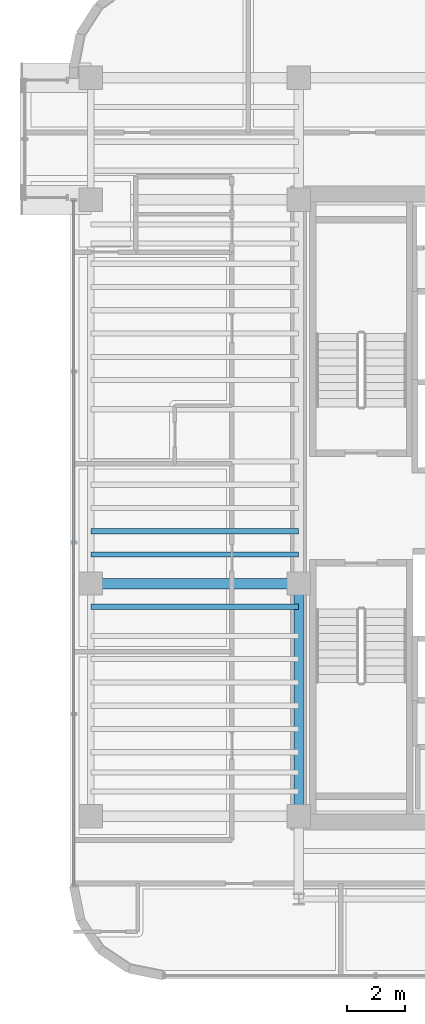
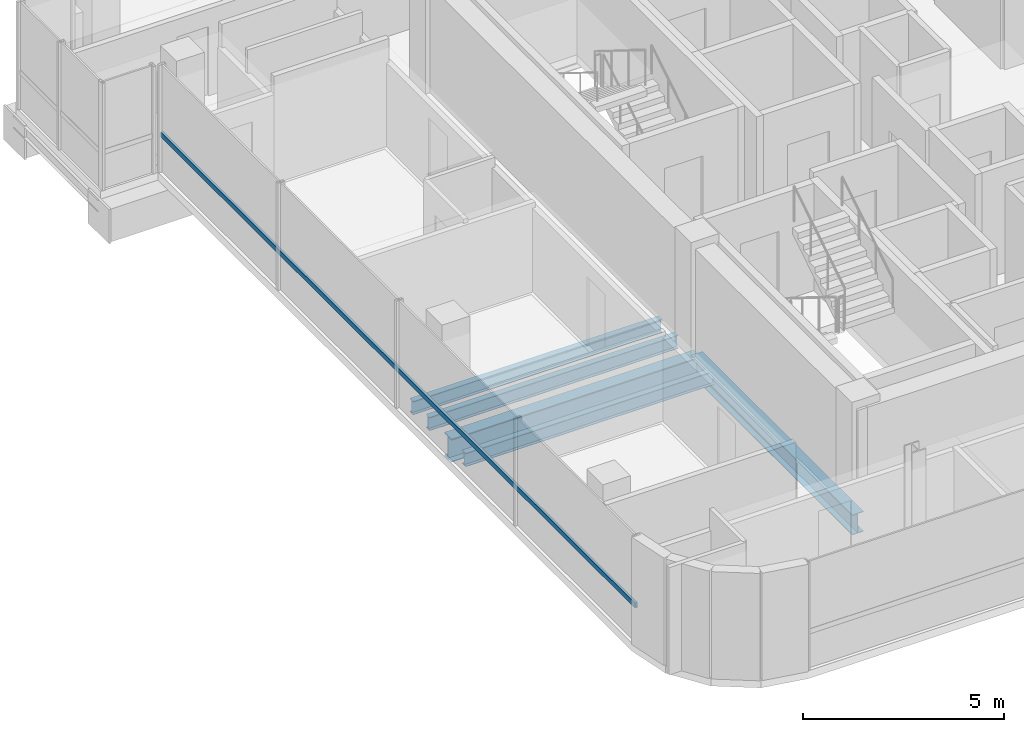
# One storey, part 5 of 21: 5 beams, 1 member, 1 element without a shape of its own.
"""IFC4 building model written with IfcOpenShell, lengths in metres."""

from ifc_helpers import new_model, si_unit, direction, frame, origin, origin_2d, place, context, subcontext, project, spatial, hollow_rectangle, i_section, extrude, source, transform, mapped, material, material_profile, profile_set, type_object, element, aggregate, save


model = new_model("IFC4")

# Units and contexts
model_context = context("Model", 3, precision=1e-05, world=origin(), true_north=direction((0.0, 1.0)))
body_context = subcontext(model_context, "Body", "Model", "MODEL_VIEW")
ifc_project = project(units=[si_unit("LENGTHUNIT", "METRE"), si_unit("AREAUNIT", "SQUARE_METRE"), si_unit("VOLUMEUNIT", "CUBIC_METRE"), si_unit("PLANEANGLEUNIT", "RADIAN"), si_unit("MASSUNIT", "GRAM", prefix="KILO")], contexts=[model_context])

# Site, building, storey
site_placement = place(None, origin())
site = spatial("IfcSite", under=ifc_project, at=site_placement, CompositionType="ELEMENT")
building_placement = place(site_placement, origin())
building = spatial("IfcBuilding", under=site, at=building_placement, Name="Valdorenza Pilgrim Sanctuary Tower", CompositionType="ELEMENT")
storey_placement = place(building_placement, frame((0.0, 0.0, 254.5)))
storey = spatial("IfcBuildingStorey", under=building, at=storey_placement, Name="L66", CompositionType="ELEMENT", Elevation=254.5)

# Beams
ifc_material_1 = material(Name="Steel ASTM A992 Grade 50", Category="steel")
ifc_material_profile_1 = material_profile(ifc_material_1, i_section(OverallWidth=0.323974609375, OverallDepth=0.611083984375, WebThickness=0.0126953125, FlangeThickness=0.01904296875, at=origin_2d()), Name="W24X104")
ifc_profile_set_1 = profile_set([ifc_material_profile_1], Name="Steel ASTM A992 Grade 50")
beam_type_1 = type_object("IfcBeamType", Name="STR-BM-GRD-W24B", PredefinedType="BEAM", material=ifc_profile_set_1)
shared_shape_1 = source(origin(), body_context, "Body", "SweptSolid", [
    extrude(i_section(OverallWidth=0.323974609375, OverallDepth=0.611083984375, WebThickness=0.0126953125, FlangeThickness=0.01904296875, at=origin_2d()), origin(), (0.0, 0.0, 1.0), 8.0),
])
beam_1_placement = place(storey_placement, frame((-22.64990234375, -10.60009765625, -0.54541015625), z_axis=(0.0, 1.0, 0.0), x_axis=(-1.0, 0.0, 0.0)))
element("IfcBeam", 1, at=beam_1_placement, inside=storey, type_object=beam_type_1, Name="L66 Core Tie Girder CA-W-S1M0", PredefinedType="BEAM", context=body_context, shape_type="MappedRepresentation", body=[
    mapped(shared_shape_1, transform((0.0, 0.0, 0.0), x_axis=(1.0, 0.0, 0.0), y_axis=(0.0, 1.0, 0.0), z_axis=(0.0, 0.0, 1.0), scale=1.0)),
])
ifc_material_profile_2 = material_profile(ifc_material_1, i_section(OverallWidth=0.35595703125, OverallDepth=0.700927734375, WebThickness=0.016845703125, FlangeThickness=0.02734375, at=origin_2d()), Name="W27X161")
ifc_profile_set_2 = profile_set([ifc_material_profile_2], Name="Steel ASTM A992 Grade 50")
beam_type_2 = type_object("IfcBeamType", Name="STR-BM-GRD-W27", PredefinedType="BEAM", material=ifc_profile_set_2)
shared_shape_2 = source(origin(), body_context, "Body", "SweptSolid", [
    extrude(i_section(OverallWidth=0.35595703125, OverallDepth=0.700927734375, WebThickness=0.016845703125, FlangeThickness=0.02734375, at=origin_2d()), origin(), (0.0, 0.0, 1.0), 7.150146484375),
])
beam_2_placement = place(storey_placement, frame((-29.800048828125, -2.60009765625, -0.590576171875), z_axis=(1.0, 0.0, 0.0), x_axis=(0.0, 1.0, 0.0)))
element("IfcBeam", 2, at=beam_2_placement, inside=storey, type_object=beam_type_2, Name="L66 Floor Girder WA-XW-M0", PredefinedType="BEAM", context=body_context, shape_type="MappedRepresentation", body=[
    mapped(shared_shape_2, transform((0.0, 0.0, 0.0), x_axis=(1.0, 0.0, 0.0), y_axis=(0.0, 1.0, 0.0), z_axis=(0.0, 0.0, 1.0), scale=1.0)),
])
ifc_material_profile_3 = material_profile(ifc_material_1, i_section(OverallWidth=0.177978515625, OverallDepth=0.406005859375, WebThickness=0.0078125, FlangeThickness=0.0126953125, at=origin_2d()), Name="W16X40")
ifc_profile_set_3 = profile_set([ifc_material_profile_3], Name="Steel ASTM A992 Grade 50")
beam_type_3 = type_object("IfcBeamType", Name="STR-BM-JST-W16", PredefinedType="JOIST", material=ifc_profile_set_3)
shared_shape_3 = source(origin(), body_context, "Body", "SweptSolid", [
    extrude(i_section(OverallWidth=0.177978515625, OverallDepth=0.406005859375, WebThickness=0.0078125, FlangeThickness=0.0126953125, at=origin_2d()), origin(), (0.0, 0.0, 1.0), 7.150146484375),
])
for number, where, z_axis, x_axis, name in (
    (3, (-29.800048828125, -3.39990234375, -0.443115234375), (1.0, 0.0, 0.0), (0.0, 1.0, 0.0), "L66 Composite Floor Joist JST-WA-9"),
    (4, (-29.800048828125, -1.60009765625, -0.443115234375), (1.0, 0.0, 0.0), (0.0, 1.0, 0.0), "L66 Composite Floor Joist JST-WA-10"),
    (5, (-29.800048828125, -0.800048828125, -0.443115234375), (1.0, 0.0, 0.0), (0.0, 1.0, 0.0), "L66 Composite Floor Joist JST-WA-11"),
):
    element("IfcBeam", number, at=place(storey_placement, frame(where, z_axis=z_axis, x_axis=x_axis)), inside=storey, type_object=beam_type_3, Name=name, PredefinedType="JOIST", context=body_context, shape_type="MappedRepresentation", body=[
        mapped(shared_shape_3, transform((0.0, 0.0, 0.0), x_axis=(1.0, 0.0, 0.0), y_axis=(0.0, 1.0, 0.0), z_axis=(0.0, 0.0, 1.0), scale=1.0)),
    ])

# Curtain wall, member
ifc_material_2 = material(Name="Curtain-wall IGU glazing", Category="glass")
curtain_wall_type = type_object("IfcCurtainWallType", Name="CW-SYS-02", PredefinedType="NOTDEFINED", material=ifc_material_2)
curtain_wall_placement = place(storey_placement, origin())
curtain_wall = element("IfcCurtainWall", 6, at=curtain_wall_placement, inside=storey, type_object=curtain_wall_type, Name="L66 Curtain Wall CW-L66-1-1S1", PredefinedType="NOTDEFINED")
ifc_material_3 = material(Name="Anodised aluminium AW-6060", Category="aluminium")
ifc_material_profile_4 = material_profile(ifc_material_3, hollow_rectangle(XDim=0.074951171875, YDim=0.14990234375, WallThickness=0.00390625, at=origin_2d()), Name="ALU-T 150x75x4")
ifc_profile_set_4 = profile_set([ifc_material_profile_4], Name="Anodised aluminium AW-6060")
member_type = type_object("IfcMemberType", Name="CW-TRN-02", PredefinedType="USERDEFINED", material=ifc_profile_set_4)
shared_shape_4 = source(origin(), body_context, "Body", "SweptSolid", [
    extrude(hollow_rectangle(XDim=0.074951171875, YDim=0.14990234375, WallThickness=0.00390625, at=origin_2d()), origin(), (0.0, 0.0, 1.0), 23.58935546875),
])
member_placement = place(storey_placement, frame((-30.389892578125, -12.9892578125, 1.1201171875), z_axis=(0.0, 1.0, 0.0), x_axis=(-1.0, 0.0, 0.0)))
member = element("IfcMember", 7, at=member_placement, type_object=member_type, Name="CW-L66-1-1S1 Transom 1", ObjectType="TRANSOM", PredefinedType="USERDEFINED", context=body_context, shape_type="MappedRepresentation", body=[
    mapped(shared_shape_4, transform((0.0, 0.0, 0.0), x_axis=(1.0, 0.0, 0.0), y_axis=(0.0, 1.0, 0.0), z_axis=(0.0, 0.0, 1.0), scale=1.0)),
])
aggregate(curtain_wall, [member])

save(model, "model.ifc")
